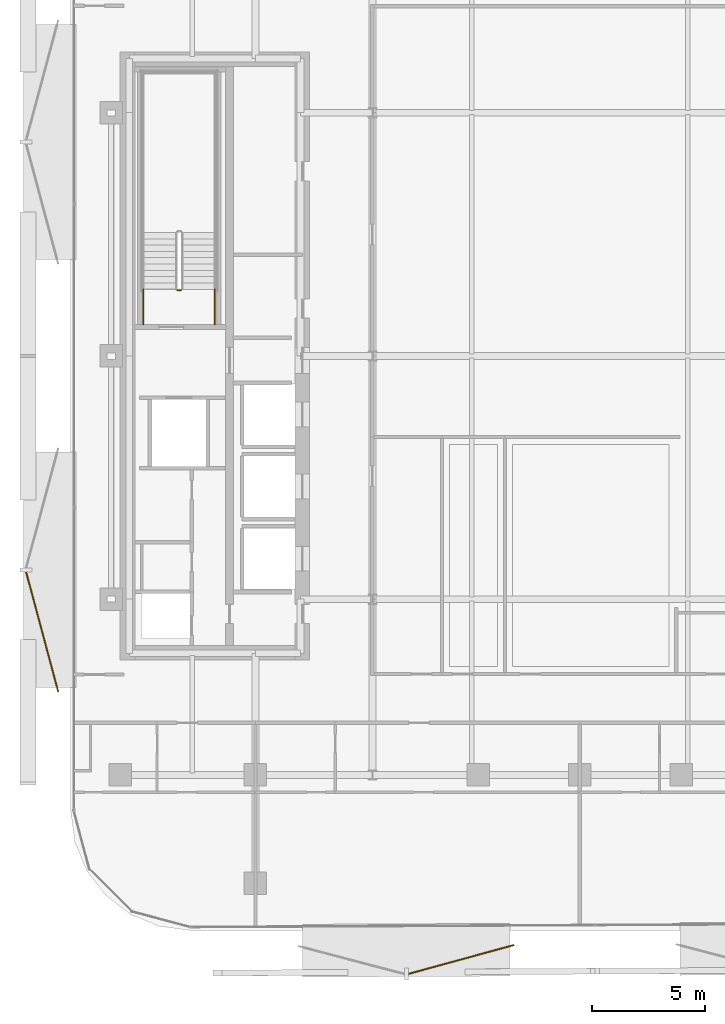
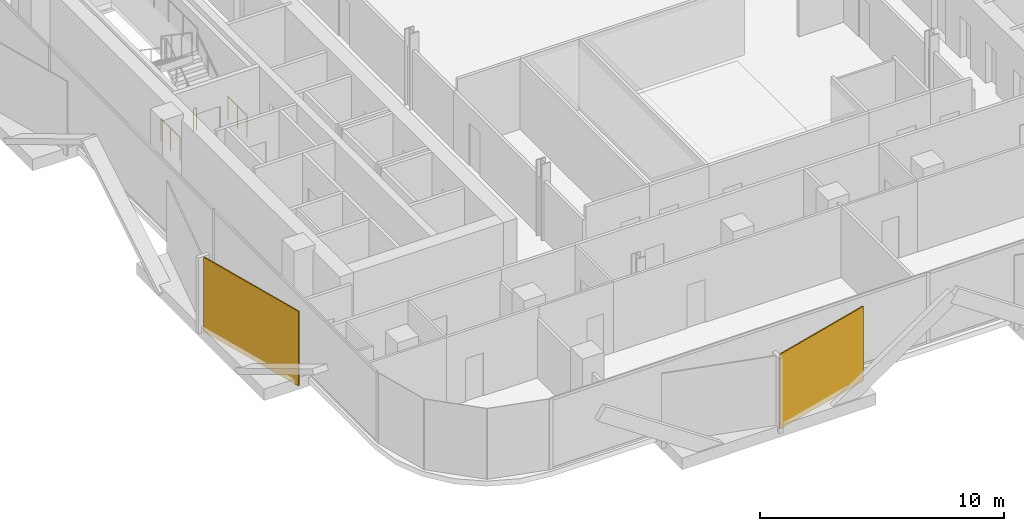
# One storey, part 13 of 17: 3 railings, 2 coverings.
"""IFC4 building model written with IfcOpenShell, lengths in metres."""

from ifc_helpers import new_model, si_unit, direction, frame, origin, origin_2d, place, context, subcontext, project, spatial, rectangle, circle, extrude, material, layer, layer_set, type_object, element, save


model = new_model("IFC4")

# Units and contexts
model_context = context("Model", 3, precision=1e-05, world=origin(), true_north=direction((0.0, 1.0)))
body_context = subcontext(model_context, "Body", "Model", "MODEL_VIEW")
ifc_project = project(units=[si_unit("LENGTHUNIT", "METRE"), si_unit("AREAUNIT", "SQUARE_METRE"), si_unit("VOLUMEUNIT", "CUBIC_METRE"), si_unit("PLANEANGLEUNIT", "RADIAN"), si_unit("MASSUNIT", "GRAM", prefix="KILO")], contexts=[model_context])

# Site, building, storey
site_placement = place(None, origin())
site = spatial("IfcSite", under=ifc_project, at=site_placement, CompositionType="ELEMENT")
building_placement = place(site_placement, origin())
building = spatial("IfcBuilding", under=site, at=building_placement, Name="Khairoan Windgate Tower", CompositionType="ELEMENT")
storey_placement = place(building_placement, frame((0.0, 0.0, 168.800048828125)))
storey = spatial("IfcBuildingStorey", under=building, at=storey_placement, Name="L38", CompositionType="ELEMENT", Elevation=168.800048828125)

# Coverings
ifc_material_1 = material(Name="Anodised Bronze Aluminium 6063-T6", Category="aluminium")
ifc_layer = layer(ifc_material_1, 0.054931640625, Name="Anodised Bronze Aluminium 6063-T6")
ifc_layer_set = layer_set([ifc_layer], Name="Anodised Bronze Aluminium 6063-T6")
covering_type = type_object("IfcCoveringType", Name="Perforated Bronze-Ceramic Folded Solar Screen Cladding BSC-1", PredefinedType="CLADDING", material=ifc_layer_set)
covering_1_placement = place(storey_placement, frame((-5.264404296875, -26.791748046875, -0.10009765625), z_axis=(0.0, 0.0, 1.0), x_axis=(-0.964649468762, -0.263536339841, 0.0)))
element("IfcCovering", 1, at=covering_1_placement, inside=storey, type_object=covering_type, Name="L38 Folded Bronze Solar Screen Facet 242L", PredefinedType="CLADDING", context=body_context, shape_type="SweptSolid", body=[
    extrude(rectangle(XDim=4.861083984375, YDim=0.054931640625, at=origin_2d()), origin(), (0.0, 0.0, 1.0), 3.739990234375),
])
covering_2_placement = place(storey_placement, frame((-23.8671875, -12.2451171875, -0.10009765625), z_axis=(0.0, 0.0, 1.0), x_axis=(-0.258819045103, 0.965925826289, 0.0)))
element("IfcCovering", 2, at=covering_2_placement, inside=storey, type_object=covering_type, Name="L38 Folded Bronze Solar Screen Facet 243L", PredefinedType="CLADDING", context=body_context, shape_type="SweptSolid", body=[
    extrude(rectangle(XDim=5.507080078125, YDim=0.054931640625, at=origin_2d()), origin(), (0.0, 0.0, 1.0), 3.739990234375),
])

# Railings
ifc_material_2 = material(Name="Steel S355", Category="steel")
railing_type = type_object("IfcRailingType", Name="Stairwell Safety Guardrail SGR-1150", PredefinedType="GUARDRAIL", material=ifc_material_2)
railing_placement = place(storey_placement, frame((-17.7099609375, 2.909912109375, 0.0)))
element("IfcRailing", 3, at=railing_placement, inside=storey, type_object=railing_type, Name="L38 ST2 stair guard 7", PredefinedType="GUARDRAIL", context=body_context, shape_type="SweptSolid", body=[
    extrude(circle(Radius=0.02392578125, at=origin_2d()), frame((0.0, 0.0, 1.1259765625), z_axis=(-1.0, 0.0, 0.0), x_axis=(0.0, -1.0, 0.0)), (0.0, 0.0, 1.0), 0.150146484375),
    extrude(circle(Radius=0.02099609375, at=origin_2d()), origin(), (0.0, 0.0, 1.0), 1.101806640625),
    extrude(circle(Radius=0.02099609375, at=origin_2d()), frame((-0.150146484375, 0.0, 0.0)), (0.0, 0.0, 1.0), 1.101806640625),
])
for number, where, name in (
    (4, (-16.199951171875, 1.39990234375, 0.0), "L38 ST2 stair guard 8"),
    (5, (-19.3701171875, 1.39990234375, 0.0), "L38 ST2 stair guard 9"),
):
    element("IfcRailing", number, at=place(storey_placement, frame(where)), inside=storey, type_object=railing_type, Name=name, PredefinedType="GUARDRAIL", context=body_context, shape_type="SweptSolid", body=[
        extrude(circle(Radius=0.02392578125, at=origin_2d()), frame((0.0, 0.0, 1.1259765625), z_axis=(0.0, 1.0, 0.0), x_axis=(-1.0, 0.0, 0.0)), (0.0, 0.0, 1.0), 1.56005859375),
        extrude(circle(Radius=0.02099609375, at=origin_2d()), origin(), (0.0, 0.0, 1.0), 1.101806640625),
        extrude(circle(Radius=0.02099609375, at=origin_2d()), frame((0.0, 0.780029296875, 0.0)), (0.0, 0.0, 1.0), 1.101806640625),
        extrude(circle(Radius=0.02099609375, at=origin_2d()), frame((0.0, 1.56005859375, 0.0)), (0.0, 0.0, 1.0), 1.101806640625),
    ])

save(model, "model.ifc")
